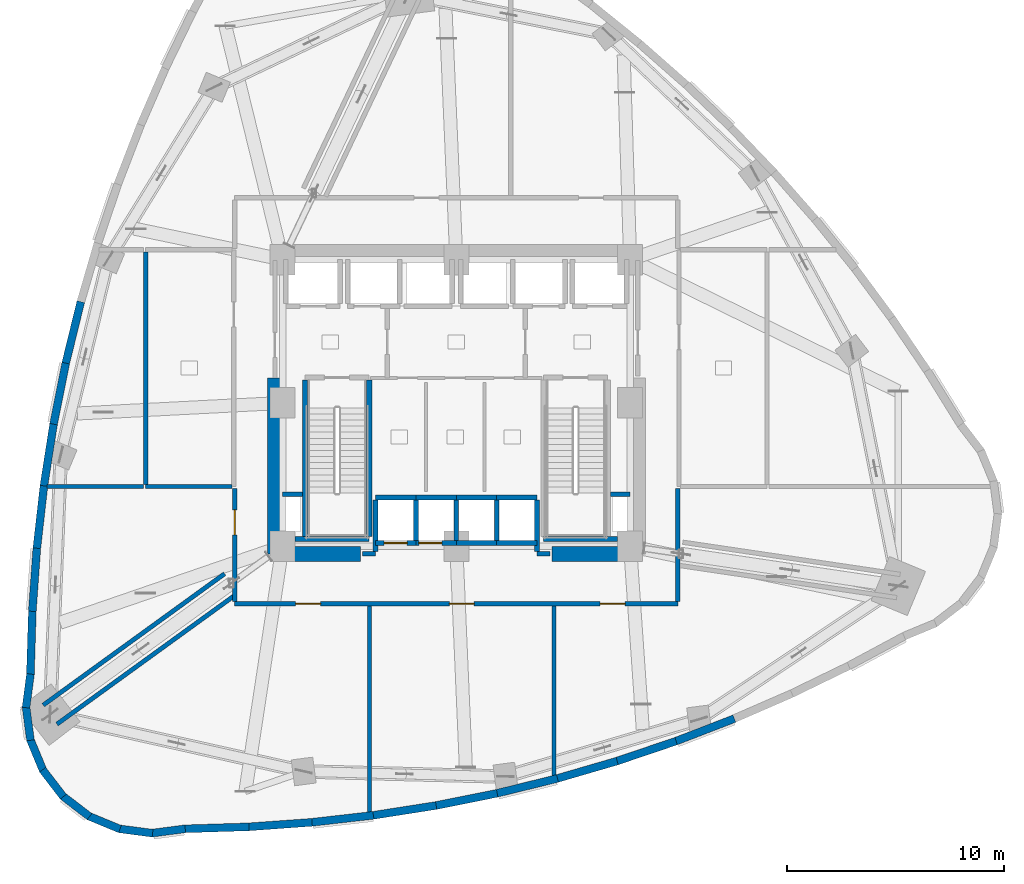
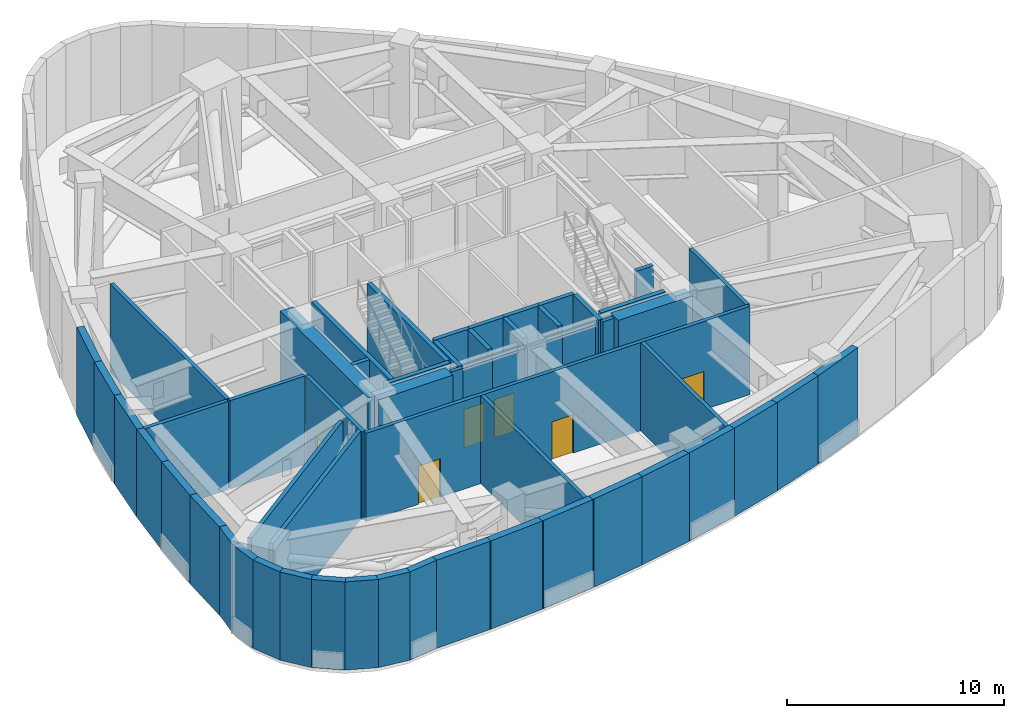
# One storey, part 6 of 13: 57 walls, 6 doors, 6 openings.
"""IFC4 building model written with IfcOpenShell, lengths in metres."""

from ifc_helpers import new_model, si_unit, direction, frame, frame_2d, origin, place, context, subcontext, project, spatial, rectangle, extrude, material, layer, layer_set, type_object, element, fill, save


model = new_model("IFC4")

# Units and contexts
model_context = context("Model", 3, precision=1e-05, world=origin(), true_north=direction((0.0, 1.0)))
body_context = subcontext(model_context, "Body", "Model", "MODEL_VIEW")
ifc_project = project(units=[si_unit("LENGTHUNIT", "METRE"), si_unit("AREAUNIT", "SQUARE_METRE"), si_unit("VOLUMEUNIT", "CUBIC_METRE"), si_unit("PLANEANGLEUNIT", "RADIAN"), si_unit("MASSUNIT", "GRAM", prefix="KILO")], contexts=[model_context])

# Site, building, storey
site_placement = place(None, origin())
site = spatial("IfcSite", under=ifc_project, at=site_placement, CompositionType="ELEMENT")
building_placement = place(site_placement, origin())
building = spatial("IfcBuilding", under=site, at=building_placement, Name="Ndelora Gate Hotel", CompositionType="ELEMENT")
storey_placement = place(building_placement, frame((0.0, 0.0, 83.0)))
storey = spatial("IfcBuildingStorey", under=building, at=storey_placement, Name="L20", CompositionType="ELEMENT", Elevation=83.0)

# Walls
ifc_material_1 = material(Name="Clay Brick Masonry", Category="masonry")
ifc_layer_1 = layer(ifc_material_1, 0.360107421875)
ifc_layer_set_1 = layer_set([ifc_layer_1], Name="Clay Brick Masonry")
wall_type_1 = type_object("IfcWallType", Name="WL-BRICK-360", PredefinedType="SOLIDWALL", material=ifc_layer_set_1)
wall_1_placement = place(storey_placement, frame((-17.980712890625, 1.832275390625, 0.0), z_axis=(0.0, 0.0, 1.0), x_axis=(0.238130434061, 0.971233183316, 0.0)))
element("IfcWall", 1, at=wall_1_placement, inside=storey, type_object=wall_type_1, Name="L20 Tower Brick Pier-and-Spandrel Wall TWR-15", PredefinedType="SOLIDWALL", context=body_context, shape_type="SweptSolid", body=[
    extrude(rectangle(XDim=2.90966796875, YDim=0.360107421875, at=frame_2d((1.454833984375, 0.0))), origin(), (0.0, 0.0, 1.0), 4.9599609375),
])
wall_2_placement = place(storey_placement, frame((-18.54248046875, -0.97705078125, 0.0), z_axis=(0.0, 0.0, 1.0), x_axis=(0.196406048567, 0.980522648431, 0.0)))
element("IfcWall", 2, at=wall_2_placement, inside=storey, type_object=wall_type_1, Name="L20 Tower Brick Pier-and-Spandrel Wall TWR-16", PredefinedType="SOLIDWALL", context=body_context, shape_type="SweptSolid", body=[
    extrude(rectangle(XDim=2.9150390625, YDim=0.360107421875, at=frame_2d((1.45751953125, 0.0))), origin(), (0.0, 0.0, 1.0), 4.9599609375),
])
wall_3_placement = place(storey_placement, frame((-18.986328125, -3.818115234375, 0.0), z_axis=(0.0, 0.0, 1.0), x_axis=(0.154728198961, 0.987957076216, 0.0)))
element("IfcWall", 3, at=wall_3_placement, inside=storey, type_object=wall_type_1, Name="L20 Tower Brick Pier-and-Spandrel Wall TWR-17", PredefinedType="SOLIDWALL", context=body_context, shape_type="SweptSolid", body=[
    extrude(rectangle(XDim=2.92529296875, YDim=0.360107421875, at=frame_2d((1.462646484375, 0.0))), origin(), (0.0, 0.0, 1.0), 4.9599609375),
])
wall_4_placement = place(storey_placement, frame((-19.31201171875, -6.6904296875, 0.0), z_axis=(0.0, 0.0, 1.0), x_axis=(0.112991650309, 0.993595937472, 0.0)))
element("IfcWall", 4, at=wall_4_placement, inside=storey, type_object=wall_type_1, Name="L20 Tower Brick Pier-and-Spandrel Wall TWR-18", PredefinedType="SOLIDWALL", context=body_context, shape_type="SweptSolid", body=[
    extrude(rectangle(XDim=2.940673828125, YDim=0.360107421875, at=frame_2d((1.47021484375, 0.0))), origin(), (0.0, 0.0, 1.0), 4.9599609375),
])
wall_5_placement = place(storey_placement, frame((-19.519775390625, -9.594482421875, 0.0), z_axis=(0.0, 0.0, 1.0), x_axis=(0.071639571726, 0.997430584935, 0.0)))
element("IfcWall", 5, at=wall_5_placement, inside=storey, type_object=wall_type_1, Name="L20 Tower Brick Pier-and-Spandrel Wall TWR-19", PredefinedType="SOLIDWALL", context=body_context, shape_type="SweptSolid", body=[
    extrude(rectangle(XDim=2.96142578125, YDim=0.360107421875, at=frame_2d((1.480712890625, 0.0))), origin(), (0.0, 0.0, 1.0), 4.9599609375),
])
wall_6_placement = place(storey_placement, frame((-19.609375, -12.530029296875, 0.0), z_axis=(0.0, 0.0, 1.0), x_axis=(0.030895375897, 0.99952262393, 0.0)))
element("IfcWall", 6, at=wall_6_placement, inside=storey, type_object=wall_type_1, Name="L20 Tower Brick Pier-and-Spandrel Wall TWR-20", PredefinedType="SOLIDWALL", context=body_context, shape_type="SweptSolid", body=[
    extrude(rectangle(XDim=2.987060546875, YDim=0.360107421875, at=frame_2d((1.49365234375, 0.0))), origin(), (0.0, 0.0, 1.0), 4.9599609375),
])
for number, where, z_axis, x_axis, name in (
    (7, (-19.8095703125, -14.031005859375, 0.0), (0.0, 0.0, 1.0), (0.130640235609, 0.991429840604, 0.0), "L20 Tower Brick Pier-and-Spandrel Wall TWR-21"),
    (8, (-19.605224609375, -15.5322265625, 0.0), (0.0, 0.0, 1.0), (-0.130640235609, 0.991429840604, 0.0), "L20 Tower Brick Pier-and-Spandrel Wall TWR-22"),
    (9, (-19.01953125, -16.929443359375, 0.0), (0.0, 0.0, 1.0), (-0.382719393153, 0.923864636245, 0.0), "L20 Tower Brick Pier-and-Spandrel Wall TWR-23"),
):
    element("IfcWall", number, at=place(storey_placement, frame(where, z_axis=z_axis, x_axis=x_axis)), inside=storey, type_object=wall_type_1, Name=name, PredefinedType="SOLIDWALL", context=body_context, shape_type="SweptSolid", body=[
        extrude(rectangle(XDim=1.564208984375, YDim=0.360107421875, at=frame_2d((0.7822265625, 0.0))), origin(), (0.0, 0.0, 1.0), 4.9599609375),
    ])
for number, where, z_axis, x_axis, name in (
    (10, (-18.09228515625, -18.127197265625, 0.0), (0.0, 0.0, 1.0), (-0.608805076812, 0.793319846246, 0.0), "L20 Tower Brick Pier-and-Spandrel Wall TWR-24"),
    (11, (-16.886474609375, -19.04443359375, 0.0), (0.0, 0.0, 1.0), (-0.793319846246, 0.608805076812, 0.0), "L20 Tower Brick Pier-and-Spandrel Wall TWR-25"),
):
    element("IfcWall", number, at=place(storey_placement, frame(where, z_axis=z_axis, x_axis=x_axis)), inside=storey, type_object=wall_type_1, Name=name, PredefinedType="SOLIDWALL", context=body_context, shape_type="SweptSolid", body=[
        extrude(rectangle(XDim=1.56396484375, YDim=0.360107421875, at=frame_2d((0.781982421875, 0.0))), origin(), (0.0, 0.0, 1.0), 4.9599609375),
    ])
for number, where, z_axis, x_axis, name in (
    (12, (-15.484375, -19.6181640625, 0.0), (0.0, 0.0, 1.0), (-0.923864636245, 0.382719393153, 0.0), "L20 Tower Brick Pier-and-Spandrel Wall TWR-26"),
    (13, (-13.9814453125, -19.8095703125, 0.0), (0.0, 0.0, 1.0), (-0.991429840604, 0.130640235609, 0.0), "L20 Tower Brick Pier-and-Spandrel Wall TWR-27"),
    (14, (-12.480224609375, -19.605224609375, 0.0), (0.0, 0.0, 1.0), (-0.991429840604, -0.130640235609, 0.0), "L20 Tower Brick Pier-and-Spandrel Wall TWR-28"),
):
    element("IfcWall", number, at=place(storey_placement, frame(where, z_axis=z_axis, x_axis=x_axis)), inside=storey, type_object=wall_type_1, Name=name, PredefinedType="SOLIDWALL", context=body_context, shape_type="SweptSolid", body=[
        extrude(rectangle(XDim=1.564208984375, YDim=0.360107421875, at=frame_2d((0.7822265625, 0.0))), origin(), (0.0, 0.0, 1.0), 4.9599609375),
    ])
wall_7_placement = place(storey_placement, frame((-9.54443359375, -19.51708984375, 0.0), z_axis=(0.0, 0.0, 1.0), x_axis=(-0.99952262393, -0.030895375897, 0.0)))
element("IfcWall", 15, at=wall_7_placement, inside=storey, type_object=wall_type_1, Name="L20 Tower Brick Pier-and-Spandrel Wall TWR-29", PredefinedType="SOLIDWALL", context=body_context, shape_type="SweptSolid", body=[
    extrude(rectangle(XDim=2.987060546875, YDim=0.360107421875, at=frame_2d((1.49365234375, 0.0))), origin(), (0.0, 0.0, 1.0), 4.9599609375),
])
wall_8_placement = place(storey_placement, frame((-6.640625, -19.3076171875, 0.0), z_axis=(0.0, 0.0, 1.0), x_axis=(-0.997430584935, -0.071639571726, 0.0)))
element("IfcWall", 16, at=wall_8_placement, inside=storey, type_object=wall_type_1, Name="L20 Tower Brick Pier-and-Spandrel Wall TWR-30", PredefinedType="SOLIDWALL", context=body_context, shape_type="SweptSolid", body=[
    extrude(rectangle(XDim=2.96142578125, YDim=0.360107421875, at=frame_2d((1.480712890625, 0.0))), origin(), (0.0, 0.0, 1.0), 4.9599609375),
])
wall_9_placement = place(storey_placement, frame((-3.7685546875, -18.979736328125, 0.0), z_axis=(0.0, 0.0, 1.0), x_axis=(-0.993595937472, -0.112991650309, 0.0)))
element("IfcWall", 17, at=wall_9_placement, inside=storey, type_object=wall_type_1, Name="L20 Tower Brick Pier-and-Spandrel Wall TWR-31", PredefinedType="SOLIDWALL", context=body_context, shape_type="SweptSolid", body=[
    extrude(rectangle(XDim=2.940673828125, YDim=0.360107421875, at=frame_2d((1.47021484375, 0.0))), origin(), (0.0, 0.0, 1.0), 4.9599609375),
])
wall_10_placement = place(storey_placement, frame((-0.927978515625, -18.53369140625, 0.0), z_axis=(0.0, 0.0, 1.0), x_axis=(-0.987957076216, -0.154728198961, 0.0)))
element("IfcWall", 18, at=wall_10_placement, inside=storey, type_object=wall_type_1, Name="L20 Tower Brick Pier-and-Spandrel Wall TWR-32", PredefinedType="SOLIDWALL", context=body_context, shape_type="SweptSolid", body=[
    extrude(rectangle(XDim=2.92529296875, YDim=0.360107421875, at=frame_2d((1.462646484375, 0.0))), origin(), (0.0, 0.0, 1.0), 4.9599609375),
])
wall_11_placement = place(storey_placement, frame((1.881103515625, -17.969970703125, 0.0), z_axis=(0.0, 0.0, 1.0), x_axis=(-0.980522648431, -0.196406048567, 0.0)))
element("IfcWall", 19, at=wall_11_placement, inside=storey, type_object=wall_type_1, Name="L20 Tower Brick Pier-and-Spandrel Wall TWR-33", PredefinedType="SOLIDWALL", context=body_context, shape_type="SweptSolid", body=[
    extrude(rectangle(XDim=2.9150390625, YDim=0.360107421875, at=frame_2d((1.45751953125, 0.0))), origin(), (0.0, 0.0, 1.0), 4.9599609375),
])
wall_12_placement = place(storey_placement, frame((4.658203125, -17.287841796875, 0.0), z_axis=(0.0, 0.0, 1.0), x_axis=(-0.971233183316, -0.238130434061, 0.0)))
element("IfcWall", 20, at=wall_12_placement, inside=storey, type_object=wall_type_1, Name="L20 Tower Brick Pier-and-Spandrel Wall TWR-34", PredefinedType="SOLIDWALL", context=body_context, shape_type="SweptSolid", body=[
    extrude(rectangle(XDim=2.90966796875, YDim=0.360107421875, at=frame_2d((1.454833984375, 0.0))), origin(), (0.0, 0.0, 1.0), 4.9599609375),
])
wall_13_placement = place(storey_placement, frame((7.40380859375, -16.48779296875, 0.0), z_axis=(0.0, 0.0, 1.0), x_axis=(-0.960176473333, -0.279394237696, 0.0)))
element("IfcWall", 21, at=wall_13_placement, inside=storey, type_object=wall_type_1, Name="L20 Tower Brick Pier-and-Spandrel Wall TWR-35", PredefinedType="SOLIDWALL", context=body_context, shape_type="SweptSolid", body=[
    extrude(rectangle(XDim=2.909912109375, YDim=0.360107421875, at=frame_2d((1.455078125, 0.0))), origin(), (0.0, 0.0, 1.0), 4.9599609375),
])
wall_14_placement = place(storey_placement, frame((10.117431640625, -15.56982421875, 0.0), z_axis=(0.0, 0.0, 1.0), x_axis=(-0.947377067638, -0.320119808374, 0.0)))
element("IfcWall", 22, at=wall_14_placement, inside=storey, type_object=wall_type_1, Name="L20 Tower Brick Pier-and-Spandrel Wall TWR-36", PredefinedType="SOLIDWALL", context=body_context, shape_type="SweptSolid", body=[
    extrude(rectangle(XDim=2.914794921875, YDim=0.360107421875, at=frame_2d((1.45751953125, 0.0))), origin(), (0.0, 0.0, 1.0), 4.9599609375),
])
wall_15_placement = place(storey_placement, frame((12.799560546875, -14.53369140625, 0.0), z_axis=(0.0, 0.0, 1.0), x_axis=(-0.932931983425, -0.360052654902, 0.0)))
element("IfcWall", 23, at=wall_15_placement, inside=storey, type_object=wall_type_1, Name="L20 Tower Brick Pier-and-Spandrel Wall TWR-37", PredefinedType="SOLIDWALL", context=body_context, shape_type="SweptSolid", body=[
    extrude(rectangle(XDim=2.92529296875, YDim=0.360107421875, at=frame_2d((1.462646484375, 0.0))), origin(), (0.0, 0.0, 1.0), 4.9599609375),
])
ifc_material_2 = material(Name="Concrete C60/75", Category="concrete")
ifc_layer_2 = layer(ifc_material_2, 0.699951171875)
ifc_layer_set_2 = layer_set([ifc_layer_2], Name="Concrete C60/75")
wall_type_2 = type_object("IfcWallType", Name="WL-CORE-700", PredefinedType="SHEAR", material=ifc_layer_set_2)
for number, where, z_axis, x_axis, name in (
    (24, (-8.35009765625, -6.949951171875, 0.0), (0.0, 0.0, 1.0), (1.0, 0.0, 0.0), "L20 Core Shear Wall S-W"),
    (25, (4.39990234375, -6.949951171875, 0.0), (0.0, 0.0, 1.0), (1.0, 0.0, 0.0), "L20 Core Shear Wall S-E"),
):
    element("IfcWall", number, at=place(storey_placement, frame(where, z_axis=z_axis, x_axis=x_axis)), inside=storey, type_object=wall_type_2, Name=name, PredefinedType="SHEAR", context=body_context, shape_type="SweptSolid", body=[
        extrude(rectangle(XDim=3.9501953125, YDim=0.699951171875, at=frame_2d((1.97509765625, 0.0))), origin(), (0.0, 0.0, 1.0), 4.9599609375),
    ])
wall_16_placement = place(storey_placement, frame((-8.35009765625, -6.949951171875, 0.0), z_axis=(0.0, 0.0, 1.0), x_axis=(0.0, 1.0, 0.0)))
element("IfcWall", 26, at=wall_16_placement, inside=storey, type_object=wall_type_2, Name="L20 Core Shear Wall W", PredefinedType="SHEAR", context=body_context, shape_type="SweptSolid", body=[
    extrude(rectangle(XDim=8.099853515625, YDim=0.699951171875, at=frame_2d((4.0498046875, 0.0))), origin(), (0.0, 0.0, 1.0), 4.9599609375),
])
ifc_material_3 = material(Name="Concrete C40/50", Category="concrete")
ifc_layer_3 = layer(ifc_material_3, 0.199951171875)
ifc_layer_set_3 = layer_set([ifc_layer_3], Name="Concrete C40/50")
wall_type_3 = type_object("IfcWallType", Name="WL-FIRE-200", PredefinedType="PARTITIONING", material=ifc_layer_set_3)
for number, where, z_axis, x_axis, name in (
    (27, (-4.320068359375, -6.949951171875, 0.0), (0.0, 0.0, 1.0), (1.0, 0.0, 0.0), "L20 Interior Wall IW-2"),
    (28, (3.719970703125, -6.949951171875, 0.0), (0.0, 0.0, 1.0), (1.0, 0.0, 0.0), "L20 Interior Wall IW-2"),
):
    element("IfcWall", number, at=place(storey_placement, frame(where, z_axis=z_axis, x_axis=x_axis)), inside=storey, type_object=wall_type_3, Name=name, PredefinedType="PARTITIONING", context=body_context, shape_type="SweptSolid", body=[
        extrude(rectangle(XDim=0.60009765625, YDim=0.199951171875, at=frame_2d((0.300048828125, 0.0))), origin(), (0.0, 0.0, 1.0), 4.9599609375),
    ])
wall_17_placement = place(storey_placement, frame((-10.666748046875, -7.864501953125, 0.0), z_axis=(0.0, 0.0, 1.0), x_axis=(-0.80990876796, -0.586555869105, 0.0)))
element("IfcWall", 29, at=wall_17_placement, inside=storey, type_object=wall_type_3, Name="L20 Interior Wall IW-2", PredefinedType="PARTITIONING", context=body_context, shape_type="SweptSolid", body=[
    extrude(rectangle(XDim=10.31201171875, YDim=0.199951171875, at=frame_2d((5.156005859375, 0.0))), origin(), (0.0, 0.0, 1.0), 4.9599609375),
])
wall_18_placement = place(storey_placement, frame((-10.260009765625, -8.903564453125, 0.0), z_axis=(0.0, 0.0, 1.0), x_axis=(-0.809919398673, -0.586541190073, 0.0)))
element("IfcWall", 30, at=wall_18_placement, inside=storey, type_object=wall_type_3, Name="L20 Interior Wall IW-2", PredefinedType="PARTITIONING", context=body_context, shape_type="SweptSolid", body=[
    extrude(rectangle(XDim=10.0322265625, YDim=0.199951171875, at=frame_2d((5.01611328125, 0.0))), origin(), (0.0, 0.0, 1.0), 4.9599609375),
])
wall_19_placement = place(storey_placement, frame((-14.300048828125, -3.75, 0.0), z_axis=(0.0, 0.0, 1.0), x_axis=(0.0, 1.0, 0.0)))
element("IfcWall", 31, at=wall_19_placement, inside=storey, type_object=wall_type_3, Name="L20 Interior Wall IW-2", PredefinedType="PARTITIONING", context=body_context, shape_type="SweptSolid", body=[
    extrude(rectangle(XDim=10.699951171875, YDim=0.199951171875, at=frame_2d((5.35009765625, 0.0))), origin(), (0.0, 0.0, 1.0), 4.9599609375),
])
wall_20_placement = place(storey_placement, frame((-14.300048828125, -3.85009765625, 0.0), z_axis=(0.0, 0.0, 1.0), x_axis=(1.0, 0.0, 0.0)))
element("IfcWall", 32, at=wall_20_placement, inside=storey, type_object=wall_type_3, Name="L20 Interior Wall IW-2", PredefinedType="PARTITIONING", context=body_context, shape_type="SweptSolid", body=[
    extrude(rectangle(XDim=3.97998046875, YDim=0.199951171875, at=frame_2d((1.989990234375, 0.0))), origin(), (0.0, 0.0, 1.0), 4.9599609375),
])
wall_21_placement = place(storey_placement, frame((-4.0, -9.35009765625, 0.0), z_axis=(0.0, 0.0, 1.0), x_axis=(0.0, -1.0, 0.0)))
element("IfcWall", 33, at=wall_21_placement, inside=storey, type_object=wall_type_3, Name="L20 Interior Wall IW-2", PredefinedType="PARTITIONING", context=body_context, shape_type="SweptSolid", body=[
    extrude(rectangle(XDim=9.514892578125, YDim=0.199951171875, at=frame_2d((4.75732421875, 0.0))), origin(), (0.0, 0.0, 1.0), 4.9599609375),
])
wall_22_placement = place(storey_placement, frame((4.5, -9.35009765625, 0.0), z_axis=(0.0, 0.0, 1.0), x_axis=(0.0, -1.0, 0.0)))
element("IfcWall", 34, at=wall_22_placement, inside=storey, type_object=wall_type_3, Name="L20 Interior Wall IW-2", PredefinedType="PARTITIONING", context=body_context, shape_type="SweptSolid", body=[
    extrude(rectangle(XDim=7.83251953125, YDim=0.199951171875, at=frame_2d((3.916259765625, 0.0))), origin(), (0.0, 0.0, 1.0), 4.9599609375),
])
wall_23_placement = place(storey_placement, frame((-14.39990234375, -3.85009765625, 0.0), z_axis=(0.0, 0.0, 1.0), x_axis=(-1.0, 0.0, 0.0)))
element("IfcWall", 35, at=wall_23_placement, inside=storey, type_object=wall_type_3, Name="L20 Interior Wall IW-2", PredefinedType="PARTITIONING", context=body_context, shape_type="SweptSolid", body=[
    extrude(rectangle(XDim=4.447998046875, YDim=0.199951171875, at=frame_2d((2.22412109375, 0.0))), origin(), (0.0, 0.0, 1.0), 4.9599609375),
])

# Wall, opening, door
wall_24_placement = place(storey_placement, frame((-10.199951171875, -3.949951171875, 0.0), z_axis=(0.0, 0.0, 1.0), x_axis=(0.0, -1.0, 0.0)))
wall_24 = element("IfcWall", 36, at=wall_24_placement, inside=storey, type_object=wall_type_3, Name="L20 Interior Wall IW-2", PredefinedType="PARTITIONING", context=body_context, shape_type="SweptSolid", body=[
    extrude(rectangle(XDim=5.199951171875, YDim=0.199951171875, at=frame_2d((2.60009765625, 0.0))), origin(), (0.0, 0.0, 1.0), 4.9599609375),
])
opening_1_placement = place(wall_24_placement, frame((0.97119140625, 0.0, 0.0)))
opening_1 = element("IfcOpeningElement", 37, at=opening_1_placement, cuts=wall_24, Name="Opening FD1", PredefinedType="OPENING", context=body_context, shape_type="SweptSolid", body=[
    extrude(rectangle(XDim=1.14990234375, YDim=2.14990234375, at=frame_2d((0.574951171875, 1.074951171875))), frame((0.0, 0.10986328125, 0.0), z_axis=(0.0, -1.0, 0.0), x_axis=(1.0, 0.0, 0.0)), (0.0, 0.0, 1.0), 0.219970703125),
])
ifc_material_4 = material(Name="Fire-Rated Timber-Veneer Steel Core", Category="steel")
door_type_1 = type_object("IfcDoorType", Name="DR-FD60", OperationType="SINGLE_SWING_LEFT", PredefinedType="DOOR", material=ifc_material_4)
door_1_placement = place(opening_1_placement, origin())
door_1 = element("IfcDoor", 38, at=door_1_placement, inside=storey, type_object=door_type_1, Name="L20 Domestic Booster and Fire Pump Room Fire Door", OperationType="SINGLE_SWING_LEFT", OverallHeight=2.14990234375, OverallWidth=1.14990234375, PredefinedType="DOOR", context=body_context, shape_type="SweptSolid", body=[
    extrude(rectangle(XDim=1.14990234375, YDim=2.14990234375, at=frame_2d((0.574951171875, 1.074951171875))), frame((0.0, 0.02490234375, 0.0), z_axis=(0.0, -1.0, 0.0), x_axis=(1.0, 0.0, 0.0)), (0.0, 0.0, 1.0), 0.050048828125),
])
fill(opening_1, door_1)

# Wall, openings, doors
wall_25_placement = place(storey_placement, frame((-10.199951171875, -9.25, 0.0), z_axis=(0.0, 0.0, 1.0), x_axis=(1.0, 0.0, 0.0)))
wall_25 = element("IfcWall", 39, at=wall_25_placement, inside=storey, type_object=wall_type_3, Name="L20 Interior Wall IW-2", PredefinedType="PARTITIONING", context=body_context, shape_type="SweptSolid", body=[
    extrude(rectangle(XDim=20.39990234375, YDim=0.199951171875, at=frame_2d((10.199951171875, 0.0))), origin(), (0.0, 0.0, 1.0), 4.9599609375),
])
opening_2_placement = place(wall_25_placement, frame((2.803466796875, 0.0, 0.0)))
opening_2 = element("IfcOpeningElement", 40, at=opening_2_placement, cuts=wall_25, Name="Opening FD1", PredefinedType="OPENING", context=body_context, shape_type="SweptSolid", body=[
    extrude(rectangle(XDim=1.14990234375, YDim=2.14990234375, at=frame_2d((0.574951171875, 1.074951171875))), frame((0.0, 0.10986328125, 0.0), z_axis=(0.0, -1.0, 0.0), x_axis=(1.0, 0.0, 0.0)), (0.0, 0.0, 1.0), 0.219970703125),
])
opening_3_placement = place(wall_25_placement, frame((9.875, 0.0, 0.0)))
opening_3 = element("IfcOpeningElement", 41, at=opening_3_placement, cuts=wall_25, Name="Opening FD1", PredefinedType="OPENING", context=body_context, shape_type="SweptSolid", body=[
    extrude(rectangle(XDim=1.14990234375, YDim=2.14990234375, at=frame_2d((0.574951171875, 1.074951171875))), frame((0.0, 0.10986328125, 0.0), z_axis=(0.0, -1.0, 0.0), x_axis=(1.0, 0.0, 0.0)), (0.0, 0.0, 1.0), 0.219970703125),
])
opening_4_placement = place(wall_25_placement, frame((16.824951171875, 0.0, 0.0)))
opening_4 = element("IfcOpeningElement", 42, at=opening_4_placement, cuts=wall_25, Name="Opening FD1", PredefinedType="OPENING", context=body_context, shape_type="SweptSolid", body=[
    extrude(rectangle(XDim=1.14990234375, YDim=2.14990234375, at=frame_2d((0.574951171875, 1.074951171875))), frame((0.0, 0.10986328125, 0.0), z_axis=(0.0, -1.0, 0.0), x_axis=(1.0, 0.0, 0.0)), (0.0, 0.0, 1.0), 0.219970703125),
])
door_2_placement = place(opening_2_placement, origin())
door_2 = element("IfcDoor", 43, at=door_2_placement, inside=storey, type_object=door_type_1, Name="L20 Domestic Booster and Fire Pump Room Fire Door", OperationType="SINGLE_SWING_RIGHT", OverallHeight=2.14990234375, OverallWidth=1.14990234375, PredefinedType="DOOR", context=body_context, shape_type="SweptSolid", body=[
    extrude(rectangle(XDim=1.14990234375, YDim=2.14990234375, at=frame_2d((0.574951171875, 1.074951171875))), frame((0.0, 0.02490234375, 0.0), z_axis=(0.0, -1.0, 0.0), x_axis=(1.0, 0.0, 0.0)), (0.0, 0.0, 1.0), 0.050048828125),
])
fill(opening_2, door_2)
door_3_placement = place(opening_3_placement, origin())
door_3 = element("IfcDoor", 44, at=door_3_placement, inside=storey, type_object=door_type_1, Name="L20 HV and LV Switchgear Transformer Room Fire Door", OperationType="SINGLE_SWING_RIGHT", OverallHeight=2.14990234375, OverallWidth=1.14990234375, PredefinedType="DOOR", context=body_context, shape_type="SweptSolid", body=[
    extrude(rectangle(XDim=1.14990234375, YDim=2.14990234375, at=frame_2d((0.574951171875, 1.074951171875))), frame((0.0, 0.02490234375, 0.0), z_axis=(0.0, -1.0, 0.0), x_axis=(1.0, 0.0, 0.0)), (0.0, 0.0, 1.0), 0.050048828125),
])
fill(opening_3, door_3)
door_4_placement = place(opening_4_placement, origin())
door_4 = element("IfcDoor", 45, at=door_4_placement, inside=storey, type_object=door_type_1, Name="L20 BMS Control and Telecoms Plant Room Fire Door", OperationType="SINGLE_SWING_LEFT", OverallHeight=2.14990234375, OverallWidth=1.14990234375, PredefinedType="DOOR", context=body_context, shape_type="SweptSolid", body=[
    extrude(rectangle(XDim=1.14990234375, YDim=2.14990234375, at=frame_2d((0.574951171875, 1.074951171875))), frame((0.0, 0.02490234375, 0.0), z_axis=(0.0, -1.0, 0.0), x_axis=(1.0, 0.0, 0.0)), (0.0, 0.0, 1.0), 0.050048828125),
])
fill(opening_4, door_4)

# Walls
wall_26_placement = place(storey_placement, frame((10.199951171875, -9.14990234375, 0.0), z_axis=(0.0, 0.0, 1.0), x_axis=(0.0, 1.0, 0.0)))
element("IfcWall", 46, at=wall_26_placement, inside=storey, type_object=wall_type_3, Name="L20 Interior Wall IW-2", PredefinedType="PARTITIONING", context=body_context, shape_type="SweptSolid", body=[
    extrude(rectangle(XDim=5.199951171875, YDim=0.199951171875, at=frame_2d((2.60009765625, 0.0))), origin(), (0.0, 0.0, 1.0), 4.9599609375),
])
ifc_layer_4 = layer(ifc_material_3, 0.219970703125)
ifc_layer_set_4 = layer_set([ifc_layer_4], Name="Concrete C40/50")
wall_type_4 = type_object("IfcWallType", Name="WL-SHAFT-220", PredefinedType="PARTITIONING", material=ifc_layer_set_4)
for number, where, z_axis, x_axis, name in (
    (47, (-8.0, -4.199951171875, 0.0), (0.0, 0.0, 1.0), (1.0, 0.0, 0.0), "L20 Interior Wall IW-1"),
    (48, (7.090087890625, -4.199951171875, 0.0), (0.0, 0.0, 1.0), (1.0, 0.0, 0.0), "L20 Interior Wall IW-1"),
):
    element("IfcWall", number, at=place(storey_placement, frame(where, z_axis=z_axis, x_axis=x_axis)), inside=storey, type_object=wall_type_4, Name=name, PredefinedType="PARTITIONING", context=body_context, shape_type="SweptSolid", body=[
        extrude(rectangle(XDim=0.909912109375, YDim=0.219970703125, at=frame_2d((0.455078125, 0.0))), origin(), (0.0, 0.0, 1.0), 4.9599609375),
    ])

# Wall, opening, door
wall_27_placement = place(storey_placement, frame((-3.719970703125, -6.449951171875, 0.0), z_axis=(0.0, 0.0, 1.0), x_axis=(1.0, 0.0, 0.0)))
wall_27 = element("IfcWall", 49, at=wall_27_placement, inside=storey, type_object=wall_type_4, Name="L20 Interior Wall IW-1", PredefinedType="PARTITIONING", context=body_context, shape_type="SweptSolid", body=[
    extrude(rectangle(XDim=1.85986328125, YDim=0.219970703125, at=frame_2d((0.929931640625, 0.0))), origin(), (0.0, 0.0, 1.0), 4.5400390625),
])
opening_5_placement = place(wall_27_placement, frame((0.39990234375, 0.0, 0.0)))
opening_5 = element("IfcOpeningElement", 50, at=opening_5_placement, cuts=wall_27, Name="Opening LD1", PredefinedType="OPENING", context=body_context, shape_type="SweptSolid", body=[
    extrude(rectangle(XDim=1.06005859375, YDim=2.14990234375, at=frame_2d((0.530029296875, 1.074951171875))), frame((0.0, 0.1201171875, 0.0), z_axis=(0.0, -1.0, 0.0), x_axis=(1.0, 0.0, 0.0)), (0.0, 0.0, 1.0), 0.239990234375),
])
ifc_material_5 = material(Name="Brushed Bronze Stainless Lift Landing Door", Category="metal")
door_type_2 = type_object("IfcDoorType", Name="DR-LD1", OperationType="DOUBLE_DOOR_SLIDING", PredefinedType="DOOR", material=ifc_material_5)
door_5_placement = place(opening_5_placement, origin())
door_5 = element("IfcDoor", 51, at=door_5_placement, inside=storey, type_object=door_type_2, Name="L20 Lift Landing Sliding Door P1A", OperationType="DOUBLE_DOOR_SLIDING", OverallHeight=2.14990234375, OverallWidth=1.06005859375, PredefinedType="DOOR", context=body_context, shape_type="SweptSolid", body=[
    extrude(rectangle(XDim=1.06005859375, YDim=2.14990234375, at=frame_2d((0.530029296875, 1.074951171875))), frame((0.0, 0.02490234375, 0.0), z_axis=(0.0, -1.0, 0.0), x_axis=(1.0, 0.0, 0.0)), (0.0, 0.0, 1.0), 0.050048828125),
])
fill(opening_5, door_5)

# Walls
wall_28_placement = place(storey_placement, frame((-3.719970703125, -4.35009765625, 0.0), z_axis=(0.0, 0.0, 1.0), x_axis=(1.0, 0.0, 0.0)))
element("IfcWall", 52, at=wall_28_placement, inside=storey, type_object=wall_type_4, Name="L20 Interior Wall IW-1", PredefinedType="PARTITIONING", context=body_context, shape_type="SweptSolid", body=[
    extrude(rectangle(XDim=1.85986328125, YDim=0.219970703125, at=frame_2d((0.929931640625, 0.0))), origin(), (0.0, 0.0, 1.0), 4.9599609375),
])
wall_29_placement = place(storey_placement, frame((-3.719970703125, -6.830078125, 0.0), z_axis=(0.0, 0.0, 1.0), x_axis=(0.0, 1.0, 0.0)))
element("IfcWall", 53, at=wall_29_placement, inside=storey, type_object=wall_type_4, Name="L20 Interior Wall IW-1", PredefinedType="PARTITIONING", context=body_context, shape_type="SweptSolid", body=[
    extrude(rectangle(XDim=2.360107421875, YDim=0.219970703125, at=frame_2d((1.18017578125, 0.0))), origin(), (0.0, 0.0, 1.0), 4.9599609375),
])
wall_30_placement = place(storey_placement, frame((-1.860107421875, -6.330078125, 0.0), z_axis=(0.0, 0.0, 1.0), x_axis=(0.0, 1.0, 0.0)))
element("IfcWall", 54, at=wall_30_placement, inside=storey, type_object=wall_type_4, Name="L20 Interior Wall IW-1", PredefinedType="PARTITIONING", context=body_context, shape_type="SweptSolid", body=[
    extrude(rectangle(XDim=1.860107421875, YDim=0.219970703125, at=frame_2d((0.93017578125, 0.0))), origin(), (0.0, 0.0, 1.0), 4.9599609375),
])

# Wall, opening, door
wall_31_placement = place(storey_placement, frame((-1.860107421875, -6.449951171875, 0.0), z_axis=(0.0, 0.0, 1.0), x_axis=(1.0, 0.0, 0.0)))
wall_31 = element("IfcWall", 55, at=wall_31_placement, inside=storey, type_object=wall_type_4, Name="L20 Interior Wall IW-1", PredefinedType="PARTITIONING", context=body_context, shape_type="SweptSolid", body=[
    extrude(rectangle(XDim=1.860107421875, YDim=0.219970703125, at=frame_2d((0.93017578125, 0.0))), origin(), (0.0, 0.0, 1.0), 4.5400390625),
])
opening_6_placement = place(wall_31_placement, frame((0.139892578125, 0.0, 0.0)))
opening_6 = element("IfcOpeningElement", 56, at=opening_6_placement, cuts=wall_31, Name="Opening LD1", PredefinedType="OPENING", context=body_context, shape_type="SweptSolid", body=[
    extrude(rectangle(XDim=1.06005859375, YDim=2.14990234375, at=frame_2d((0.530029296875, 1.074951171875))), frame((0.0, 0.1201171875, 0.0), z_axis=(0.0, -1.0, 0.0), x_axis=(1.0, 0.0, 0.0)), (0.0, 0.0, 1.0), 0.239990234375),
])
door_6_placement = place(opening_6_placement, origin())
door_6 = element("IfcDoor", 57, at=door_6_placement, inside=storey, type_object=door_type_2, Name="L20 Lift Landing Sliding Door P1B", OperationType="DOUBLE_DOOR_SLIDING", OverallHeight=2.14990234375, OverallWidth=1.06005859375, PredefinedType="DOOR", context=body_context, shape_type="SweptSolid", body=[
    extrude(rectangle(XDim=1.06005859375, YDim=2.14990234375, at=frame_2d((0.530029296875, 1.074951171875))), frame((0.0, 0.02490234375, 0.0), z_axis=(0.0, -1.0, 0.0), x_axis=(1.0, 0.0, 0.0)), (0.0, 0.0, 1.0), 0.050048828125),
])
fill(opening_6, door_6)

# Walls
for number, where, z_axis, x_axis, name in (
    (58, (-1.860107421875, -4.35009765625, 0.0), (0.0, 0.0, 1.0), (1.0, 0.0, 0.0), "L20 Interior Wall IW-1"),
    (59, (0.0, -6.330078125, 0.0), (0.0, 0.0, 1.0), (0.0, 1.0, 0.0), "L20 Interior Wall IW-1"),
):
    element("IfcWall", number, at=place(storey_placement, frame(where, z_axis=z_axis, x_axis=x_axis)), inside=storey, type_object=wall_type_4, Name=name, PredefinedType="PARTITIONING", context=body_context, shape_type="SweptSolid", body=[
        extrude(rectangle(XDim=1.860107421875, YDim=0.219970703125, at=frame_2d((0.93017578125, 0.0))), origin(), (0.0, 0.0, 1.0), 4.9599609375),
    ])
wall_32_placement = place(storey_placement, frame((0.0, -6.449951171875, 0.0), z_axis=(0.0, 0.0, 1.0), x_axis=(1.0, 0.0, 0.0)))
element("IfcWall", 60, at=wall_32_placement, inside=storey, type_object=wall_type_4, Name="L20 Interior Wall IW-1", PredefinedType="PARTITIONING", context=body_context, shape_type="SweptSolid", body=[
    extrude(rectangle(XDim=1.860107421875, YDim=0.219970703125, at=frame_2d((0.93017578125, 0.0))), origin(), (0.0, 0.0, 1.0), 4.5400390625),
])
for number, where, z_axis, x_axis, name in (
    (61, (0.0, -4.35009765625, 0.0), (0.0, 0.0, 1.0), (1.0, 0.0, 0.0), "L20 Interior Wall IW-1"),
    (62, (1.860107421875, -6.330078125, 0.0), (0.0, 0.0, 1.0), (0.0, 1.0, 0.0), "L20 Interior Wall IW-1"),
):
    element("IfcWall", number, at=place(storey_placement, frame(where, z_axis=z_axis, x_axis=x_axis)), inside=storey, type_object=wall_type_4, Name=name, PredefinedType="PARTITIONING", context=body_context, shape_type="SweptSolid", body=[
        extrude(rectangle(XDim=1.860107421875, YDim=0.219970703125, at=frame_2d((0.93017578125, 0.0))), origin(), (0.0, 0.0, 1.0), 4.9599609375),
    ])
wall_33_placement = place(storey_placement, frame((1.860107421875, -6.449951171875, 0.0), z_axis=(0.0, 0.0, 1.0), x_axis=(1.0, 0.0, 0.0)))
element("IfcWall", 63, at=wall_33_placement, inside=storey, type_object=wall_type_4, Name="L20 Interior Wall IW-1", PredefinedType="PARTITIONING", context=body_context, shape_type="SweptSolid", body=[
    extrude(rectangle(XDim=1.85986328125, YDim=0.219970703125, at=frame_2d((0.929931640625, 0.0))), origin(), (0.0, 0.0, 1.0), 4.5400390625),
])
wall_34_placement = place(storey_placement, frame((1.860107421875, -4.35009765625, 0.0), z_axis=(0.0, 0.0, 1.0), x_axis=(1.0, 0.0, 0.0)))
element("IfcWall", 64, at=wall_34_placement, inside=storey, type_object=wall_type_4, Name="L20 Interior Wall IW-1", PredefinedType="PARTITIONING", context=body_context, shape_type="SweptSolid", body=[
    extrude(rectangle(XDim=1.85986328125, YDim=0.219970703125, at=frame_2d((0.929931640625, 0.0))), origin(), (0.0, 0.0, 1.0), 4.9599609375),
])
wall_35_placement = place(storey_placement, frame((3.719970703125, -6.830078125, 0.0), z_axis=(0.0, 0.0, 1.0), x_axis=(0.0, 1.0, 0.0)))
element("IfcWall", 65, at=wall_35_placement, inside=storey, type_object=wall_type_4, Name="L20 Interior Wall IW-1", PredefinedType="PARTITIONING", context=body_context, shape_type="SweptSolid", body=[
    extrude(rectangle(XDim=2.360107421875, YDim=0.219970703125, at=frame_2d((1.18017578125, 0.0))), origin(), (0.0, 0.0, 1.0), 4.9599609375),
])
ifc_material_6 = material(Name="Concrete C50/60", Category="concrete")
ifc_layer_5 = layer(ifc_material_6, 0.239990234375)
ifc_layer_set_5 = layer_set([ifc_layer_5], Name="Concrete C50/60")
wall_type_5 = type_object("IfcWallType", Name="WL-STAIR-240", PredefinedType="SHEAR", material=ifc_layer_set_5)
wall_36_placement = place(storey_placement, frame((-6.969970703125, -6.159912109375, 0.0), z_axis=(0.0, 0.0, 1.0), x_axis=(0.0, 1.0, 0.0)))
element("IfcWall", 66, at=wall_36_placement, inside=storey, type_object=wall_type_5, Name="L20 Stair Core Shear Wall SW-ST", PredefinedType="SHEAR", context=body_context, shape_type="SweptSolid", body=[
    extrude(rectangle(XDim=7.219970703125, YDim=0.239990234375, at=frame_2d((3.60986328125, 0.0))), origin(), (0.0, 0.0, 1.0), 4.9599609375),
])
wall_37_placement = place(storey_placement, frame((-7.425048828125, -6.27001953125, 0.0), z_axis=(0.0, 0.0, 1.0), x_axis=(1.0, 0.0, 0.0)))
element("IfcWall", 67, at=wall_37_placement, inside=storey, type_object=wall_type_5, Name="L20 Stair Core Shear Wall SW-ST", PredefinedType="SHEAR", context=body_context, shape_type="SweptSolid", body=[
    extrude(rectangle(XDim=3.4150390625, YDim=0.239990234375, at=frame_2d((1.70751953125, 0.0))), origin(), (0.0, 0.0, 1.0), 4.9599609375),
])
wall_38_placement = place(storey_placement, frame((-4.010009765625, -6.159912109375, 0.0), z_axis=(0.0, 0.0, 1.0), x_axis=(0.0, 1.0, 0.0)))
element("IfcWall", 68, at=wall_38_placement, inside=storey, type_object=wall_type_5, Name="L20 Stair Core Shear Wall SW-ST", PredefinedType="SHEAR", context=body_context, shape_type="SweptSolid", body=[
    extrude(rectangle(XDim=7.219970703125, YDim=0.239990234375, at=frame_2d((3.60986328125, 0.0))), origin(), (0.0, 0.0, 1.0), 4.9599609375),
])
wall_39_placement = place(storey_placement, frame((4.010009765625, -6.27001953125, 0.0), z_axis=(0.0, 0.0, 1.0), x_axis=(1.0, 0.0, 0.0)))
element("IfcWall", 69, at=wall_39_placement, inside=storey, type_object=wall_type_5, Name="L20 Stair Core Shear Wall SW-ST", PredefinedType="SHEAR", context=body_context, shape_type="SweptSolid", body=[
    extrude(rectangle(XDim=3.4150390625, YDim=0.239990234375, at=frame_2d((1.70751953125, 0.0))), origin(), (0.0, 0.0, 1.0), 4.9599609375),
])

save(model, "model.ifc")
